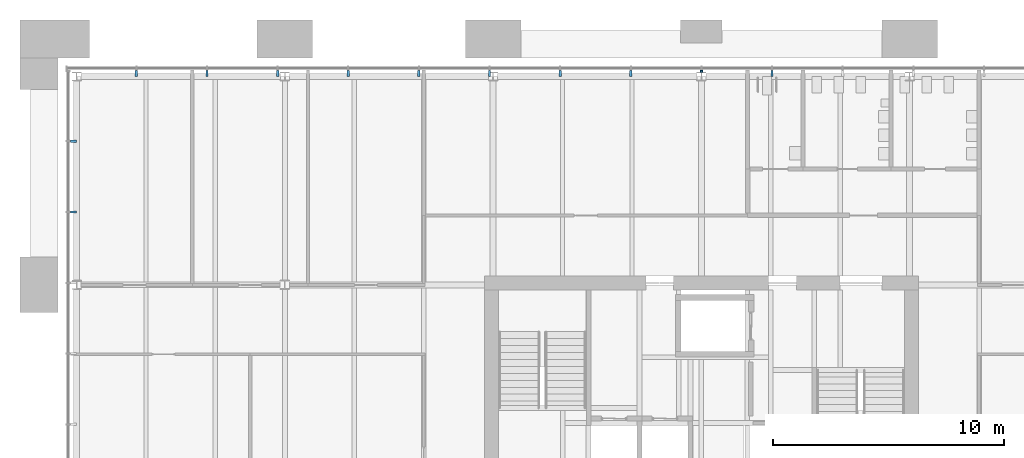
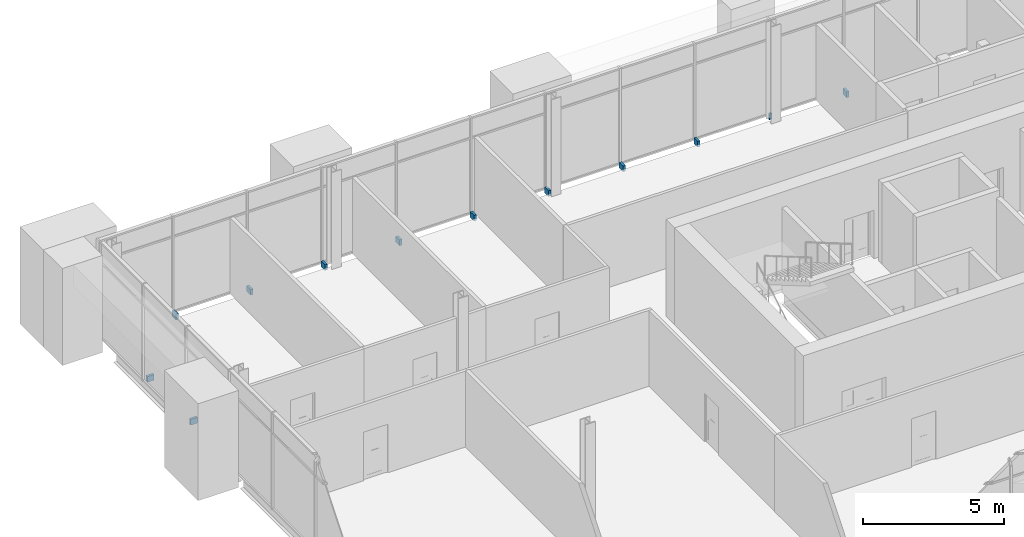
# One storey, part 34 of 43: 12 discrete accessories.
"""IFC4 building model written with IfcOpenShell, lengths in metres."""

import ifcopenshell
import ifcopenshell.guid

model = None  # the IFC model being written
_history = None  # IfcOwnerHistory: only IFC2X3 demands one
_inside = {}  # id of a spatial element -> (the spatial element, [elements in it])
_under = {}  # id of a project, library or spatial element -> (it, [spatial elements below it])
_declared = {}  # id of a project -> (the project, [libraries it declares])
_typed = {}  # id of a type object -> (the type object, [elements of that type])
_made_of = {}  # id of a material, layer set ... -> (it, [elements and type objects made of it])


def new_model(schema):
    """Start an empty IFC model of exactly this schema.

    Asked for "IFC4X3", IfcOpenShell would pick the latest addendum, in which some entities
    have other attributes; the version numbers below select the first issue.
    IFC2X3 requires an IfcOwnerHistory on every rooted entity: one is made here for all.
    """
    global model, _history
    if schema == "IFC4X3":
        model = ifcopenshell.file(schema_version=(4, 3, 0, 0))
    else:
        model = ifcopenshell.file(schema=schema)
    _inside.clear()
    _under.clear()
    _declared.clear()
    _typed.clear()
    _made_of.clear()
    _history = None
    if model.schema == "IFC2X3":
        org = make("IfcOrganization", Name="unknown")
        user = make(
            "IfcPersonAndOrganization",
            ThePerson=make("IfcPerson", FamilyName="unknown"),
            TheOrganization=org,
        )
        app = make(
            "IfcApplication",
            ApplicationDeveloper=org,
            Version="unknown",
            ApplicationFullName="unknown",
            ApplicationIdentifier="unknown",
        )
        _history = make(
            "IfcOwnerHistory",
            OwningUser=user,
            OwningApplication=app,
            ChangeAction="ADDED",
            CreationDate=0,
        )
    return model


def make(cls, **values):
    """One entity of the class cls with the attributes given. An attribute that is None is left unset."""
    return model.create_entity(
        cls, **{name: value for name, value in values.items() if value is not None}
    )


def rooted(cls, **values):
    """An entity with a GlobalId (a new one), such as an element, a storey or a relation."""
    return make(cls, GlobalId=ifcopenshell.guid.new(), OwnerHistory=_history, **values)


def si_unit(unit_type, name, prefix=None):
    """IfcSIUnit, for example si_unit("LENGTHUNIT", "METRE", prefix="MILLI")."""
    return make("IfcSIUnit", UnitType=unit_type, Prefix=prefix, Name=name)


def assignment(units):
    """IfcUnitAssignment: the units of a project."""
    return None if units is None else make("IfcUnitAssignment", Units=units)


def point(xyz):
    """IfcCartesianPoint."""
    return None if xyz is None else make("IfcCartesianPoint", Coordinates=xyz)


def direction(xyz):
    """IfcDirection."""
    return None if xyz is None else make("IfcDirection", DirectionRatios=xyz)


def frame(location, z_axis=None, x_axis=None):
    """IfcAxis2Placement3D, a coordinate frame: its origin and axes. An axis left out is left unset."""
    return make(
        "IfcAxis2Placement3D",
        Location=point(location),
        Axis=direction(z_axis),
        RefDirection=direction(x_axis),
    )


def frame_2d(location, x_axis=None):
    """IfcAxis2Placement2D, a coordinate frame in the plane: its origin and x axis."""
    return make(
        "IfcAxis2Placement2D", Location=point(location), RefDirection=direction(x_axis)
    )


def origin():
    """The frame at (0, 0, 0) with its axes left unset."""
    return frame((0.0, 0.0, 0.0))


def origin_2d():
    """The frame at (0, 0) in the plane with its x axis left unset."""
    return frame_2d((0.0, 0.0))


def place(relative_to, where):
    """IfcLocalPlacement: puts the frame where relative to a parent placement (None: the world)."""
    return make(
        "IfcLocalPlacement", PlacementRelTo=relative_to, RelativePlacement=where
    )


def context(
    kind, dimensions, precision=None, world=None, true_north=None, identifier=None
):
    """IfcGeometricRepresentationContext, for example the 3D "Model" context."""
    return make(
        "IfcGeometricRepresentationContext",
        ContextIdentifier=identifier,
        ContextType=kind,
        CoordinateSpaceDimension=dimensions,
        Precision=precision,
        WorldCoordinateSystem=world,
        TrueNorth=true_north,
    )


def subcontext(parent, identifier, kind, view, scale=None):
    """IfcGeometricRepresentationSubContext, for example "Body" below "Model"."""
    return make(
        "IfcGeometricRepresentationSubContext",
        ContextIdentifier=identifier,
        ContextType=kind,
        ParentContext=parent,
        TargetScale=scale,
        TargetView=view,
    )


def project(units=None, contexts=None):
    """IfcProject with its units and contexts."""
    return rooted(
        "IfcProject",
        Name="project",
        RepresentationContexts=contexts,
        UnitsInContext=assignment(units),
    )


def spatial(cls, under=None, at=None, **own):
    """A site, building, storey or space (cls), placed at a placement, below another one or the project."""
    s = rooted(cls, ObjectPlacement=at, **own)
    if under is not None:
        _under.setdefault(under.id(), (under, []))[1].append(s)
    return s


def profile(cls, at=None, kind="AREA", **sizes):
    """A parametric profile (cls). Its sizes go by their IFC names, for example OverallWidth=200.0."""
    return make(cls, ProfileType=kind, Position=at, **sizes)


def rectangle(**sizes):
    """IfcRectangleProfileDef."""
    return profile("IfcRectangleProfileDef", **sizes)


def extrude(swept, where, along, depth):
    """IfcExtrudedAreaSolid: the profile swept, set in the frame where, extruded along a direction by depth."""
    return make(
        "IfcExtrudedAreaSolid",
        SweptArea=swept,
        Position=where,
        ExtrudedDirection=direction(along),
        Depth=depth,
    )


def shape(context_of_items, identifier, shape_type, items):
    """IfcShapeRepresentation: the items that make up one representation, for example the "Body"."""
    return make(
        "IfcShapeRepresentation",
        ContextOfItems=context_of_items,
        RepresentationIdentifier=identifier,
        RepresentationType=shape_type,
        Items=items,
    )


def material(Name=None, Category=None):
    """IfcMaterial."""
    return make("IfcMaterial", Name=Name, Category=Category)


def made_of(thing, what):
    """Note that an element or type object is made of a material, layer set ...; save() writes the relation."""
    if what is not None:
        _made_of.setdefault(what.id(), (what, []))[1].append(thing)
    return thing


def type_object(cls, material=None, **own):
    """A type object (cls), such as IfcWallType, which elements share."""
    return made_of(rooted(cls, **own), material)


def element(
    cls,
    number,
    at=None,
    inside=None,
    cuts=None,
    type_object=None,
    material=None,
    context=None,
    identifier="Body",
    shape_type=None,
    held_by="IfcProductDefinitionShape",
    body=None,
    shapes=None,
    **own,
):
    """One element of the class cls, such as IfcWall. Its Tag is "e" and its number.

    at: its placement. inside: the storey or other place that contains it. cuts: it is an
    opening in that element (IfcRelVoidsElement). A single representation is given by context,
    identifier, shape_type and body (its items); several are given by shapes. held_by: the class
    of the entity that holds the representations. save() writes the other relations.
    """
    e = rooted(cls, Tag="e%d" % number, ObjectPlacement=at, **own)
    if body is not None:
        shapes = [shape(context, identifier, shape_type, body)]
    if shapes is not None:
        e.Representation = make(held_by, Representations=shapes)
    if inside is not None:
        _inside.setdefault(inside.id(), (inside, []))[1].append(e)
    if cuts is not None:
        rooted(
            "IfcRelVoidsElement", RelatingBuildingElement=cuts, RelatedOpeningElement=e
        )
    if type_object is not None:
        _typed.setdefault(type_object.id(), (type_object, []))[1].append(e)
    return made_of(e, material)


def aggregate(whole, parts):
    """IfcRelAggregates: a whole, such as a stair, and the parts it consists of."""
    return rooted("IfcRelAggregates", RelatingObject=whole, RelatedObjects=parts)


def save(model, path):
    """Write the relations noted so far, then the file.

    IfcRelAggregates (storeys below a building ...), IfcRelContainedInSpatialStructure (elements
    in a storey), IfcRelDefinesByType, IfcRelAssociatesMaterial and IfcRelDeclares: one each for
    every whole, place, type object, material and project.
    """
    for whole, parts in _under.values():
        aggregate(whole, parts)
    for where, things in _inside.values():
        rooted(
            "IfcRelContainedInSpatialStructure",
            RelatedElements=things,
            RelatingStructure=where,
        )
    for kind, things in _typed.values():
        rooted("IfcRelDefinesByType", RelatedObjects=things, RelatingType=kind)
    for what, things in _made_of.values():
        rooted("IfcRelAssociatesMaterial", RelatedObjects=things, RelatingMaterial=what)
    for by, libraries in _declared.values():
        rooted("IfcRelDeclares", RelatingContext=by, RelatedDefinitions=libraries)
    model.write(path)


model = new_model("IFC4")

# Units and contexts
model_context = context("Model", 3, precision=1e-05, world=origin(), true_north=direction((0.0, 1.0)))
body_context = subcontext(model_context, "Body", "Model", "MODEL_VIEW")
ifc_project = project(units=[si_unit("LENGTHUNIT", "METRE"), si_unit("AREAUNIT", "SQUARE_METRE"), si_unit("VOLUMEUNIT", "CUBIC_METRE"), si_unit("PLANEANGLEUNIT", "RADIAN"), si_unit("MASSUNIT", "GRAM", prefix="KILO")], contexts=[model_context])

# Site, building, storey
site_placement = place(None, origin())
site = spatial("IfcSite", under=ifc_project, at=site_placement, CompositionType="ELEMENT")
building_placement = place(site_placement, origin())
building = spatial("IfcBuilding", under=site, at=building_placement, Name="Baradari Gate Terminus", CompositionType="ELEMENT")
storey_placement = place(building_placement, frame((0.0, 0.0, 20.10009765625)))
storey = spatial("IfcBuildingStorey", under=building, at=storey_placement, Name="L04", CompositionType="ELEMENT", Elevation=20.10009765625)

# Discrete accessories
ifc_material = material(Name="Aluminium 6063-T6", Category="aluminium")
discrete_accessory_type = type_object("IfcDiscreteAccessoryType", Name="Curtain wall bracket BK-1 100x250", PredefinedType="BRACKET", material=ifc_material)
for number, where, z_axis, x_axis, name in (
    (1, (11.582275390625, 144.135009765625, -0.10009765625), (0.0, 0.0, 1.0), (0.0, 1.0, 0.0), "Curtain wall bracket BK-1 L04/TN mullion 2"),
    (2, (14.634521484375, 144.135009765625, -0.10009765625), (0.0, 0.0, 1.0), (0.0, 1.0, 0.0), "Curtain wall bracket BK-1 L04/TN mullion 3"),
    (3, (17.686767578125, 144.135009765625, -0.10009765625), (0.0, 0.0, 1.0), (0.0, 1.0, 0.0), "Curtain wall bracket BK-1 L04/TN mullion 4"),
    (4, (20.73876953125, 144.135009765625, -0.10009765625), (0.0, 0.0, 1.0), (0.0, 1.0, 0.0), "Curtain wall bracket BK-1 L04/TN mullion 5"),
    (5, (23.791015625, 144.135009765625, -0.10009765625), (0.0, 0.0, 1.0), (0.0, 1.0, 0.0), "Curtain wall bracket BK-1 L04/TN mullion 6"),
    (6, (26.84326171875, 144.135009765625, -0.10009765625), (0.0, 0.0, 1.0), (0.0, 1.0, 0.0), "Curtain wall bracket BK-1 L04/TN mullion 7"),
    (7, (29.8955078125, 144.135009765625, -0.10009765625), (0.0, 0.0, 1.0), (0.0, 1.0, 0.0), "Curtain wall bracket BK-1 L04/TN mullion 8"),
    (8, (32.94775390625, 144.135009765625, -0.10009765625), (0.0, 0.0, 1.0), (0.0, 1.0, 0.0), "Curtain wall bracket BK-1 L04/TN mullion 9"),
):
    element("IfcDiscreteAccessory", number, at=place(storey_placement, frame(where, z_axis=z_axis, x_axis=x_axis)), inside=storey, type_object=discrete_accessory_type, Name=name, PredefinedType="BRACKET", context=body_context, shape_type="SweptSolid", body=[
        extrude(rectangle(XDim=0.27001953125, YDim=0.10009765625, at=origin_2d()), origin(), (0.0, 0.0, 1.0), 0.25),
    ])
discrete_accessory_placement = place(storey_placement, frame((36.0, 144.230224609375, -0.10009765625), z_axis=(0.0, 0.0, 1.0), x_axis=(0.0, 1.0, 0.0)))
element("IfcDiscreteAccessory", 9, at=discrete_accessory_placement, inside=storey, type_object=discrete_accessory_type, Name="Curtain wall bracket BK-1 L04/TN mullion 10", PredefinedType="BRACKET", context=body_context, shape_type="SweptSolid", body=[
    extrude(rectangle(XDim=0.07958984375, YDim=0.10009765625, at=origin_2d()), origin(), (0.0, 0.0, 1.0), 0.25),
])
for number, where, z_axis, x_axis, name in (
    (10, (39.05224609375, 144.135009765625, -0.10009765625), (0.0, 0.0, 1.0), (0.0, 1.0, 0.0), "Curtain wall bracket BK-1 L04/TN mullion 11"),
    (11, (8.864990234375, 138.14990234375, -0.10009765625), (0.0, 0.0, 1.0), (-1.0, 0.0, 0.0), "Curtain wall bracket BK-1 L04/TW mullion 8"),
    (12, (8.864990234375, 141.2099609375, -0.10009765625), (0.0, 0.0, 1.0), (-1.0, 0.0, 0.0), "Curtain wall bracket BK-1 L04/TW mullion 9"),
):
    element("IfcDiscreteAccessory", number, at=place(storey_placement, frame(where, z_axis=z_axis, x_axis=x_axis)), inside=storey, type_object=discrete_accessory_type, Name=name, PredefinedType="BRACKET", context=body_context, shape_type="SweptSolid", body=[
        extrude(rectangle(XDim=0.27001953125, YDim=0.10009765625, at=origin_2d()), origin(), (0.0, 0.0, 1.0), 0.25),
    ])

save(model, "model.ifc")
